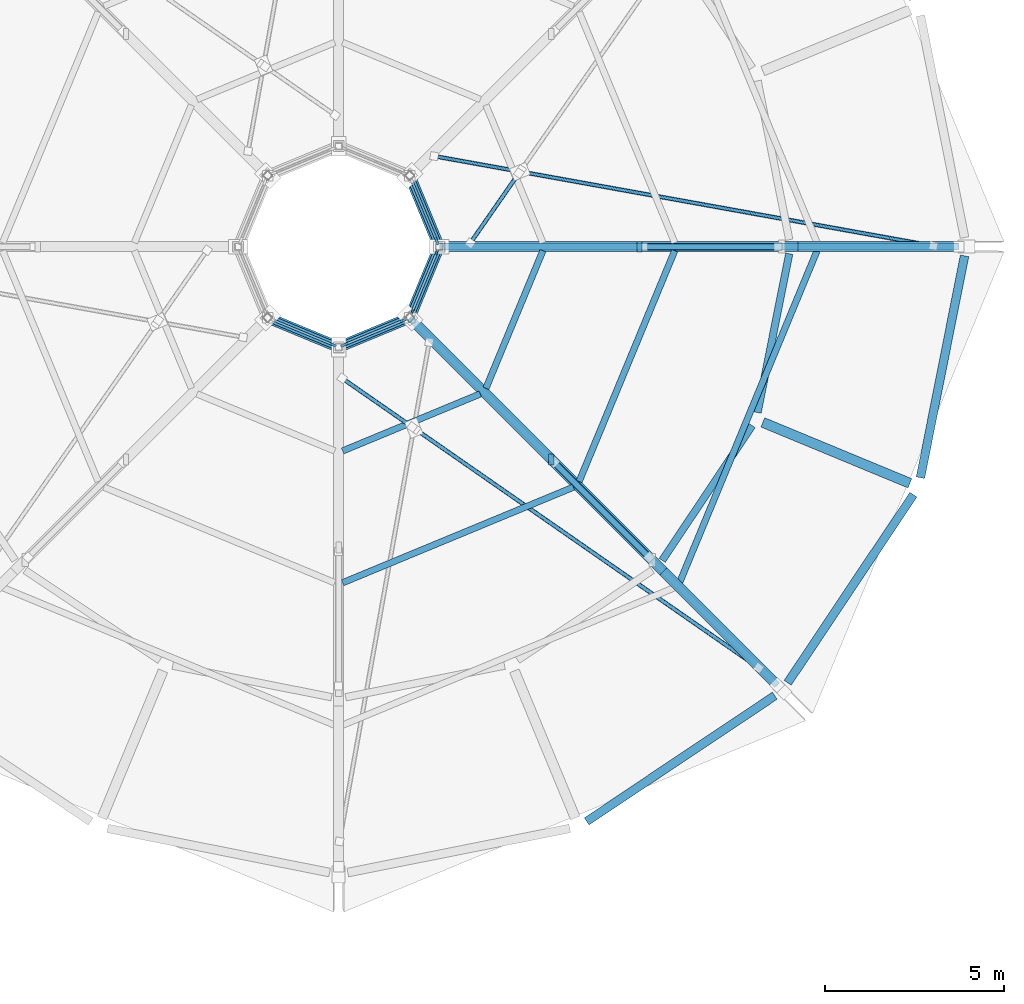
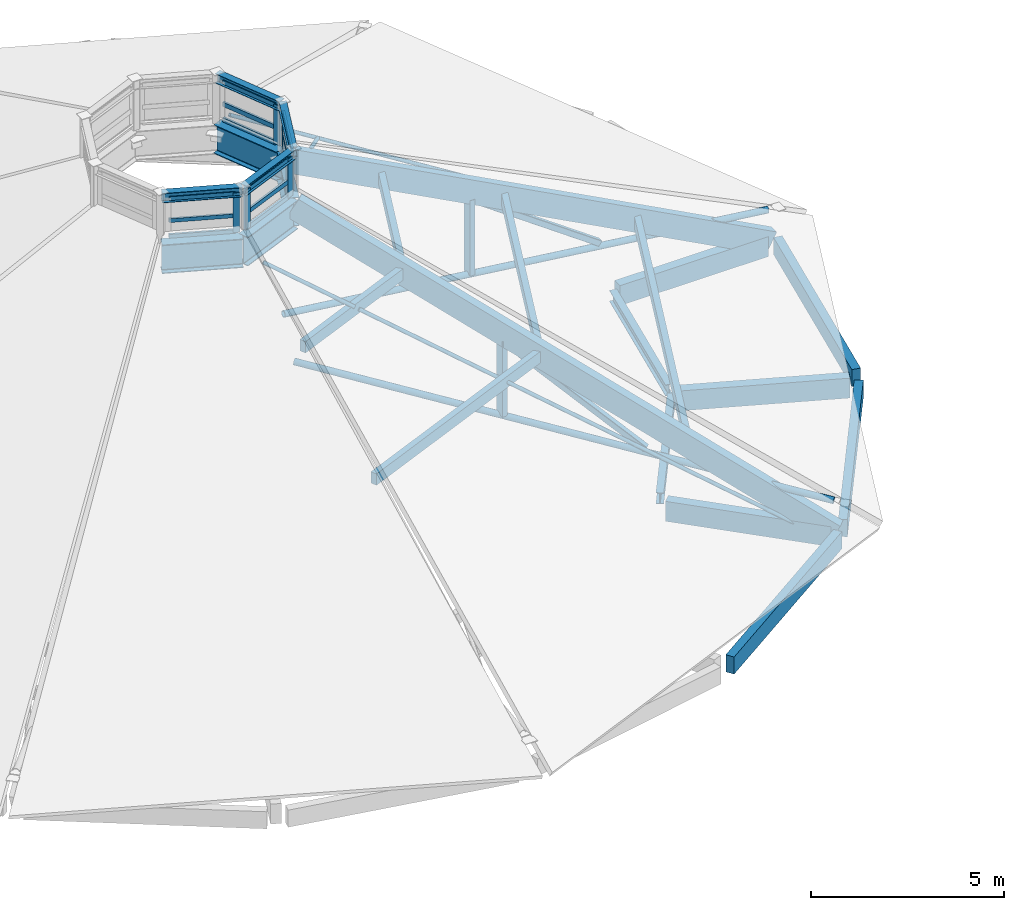
# One storey, part 36 of 66: 35 members, 16 beams, 4 elements without a shape of their own.
"""IFC4 building model written with IfcOpenShell, lengths in metres."""

from ifc_helpers import new_model, si_unit, direction, frame, origin, origin_2d, place, context, subcontext, project, spatial, rectangle, hollow_rectangle, hollow_circle, i_section, extrude, material, layer, layer_set, material_profile, profile_set, type_object, element, aggregate, save


model = new_model("IFC4")

# Units and contexts
model_context = context("Model", 3, precision=1e-05, world=origin(), true_north=direction((0.0, 1.0)))
body_context = subcontext(model_context, "Body", "Model", "MODEL_VIEW")
ifc_project = project(units=[si_unit("LENGTHUNIT", "METRE"), si_unit("AREAUNIT", "SQUARE_METRE"), si_unit("VOLUMEUNIT", "CUBIC_METRE"), si_unit("PLANEANGLEUNIT", "RADIAN"), si_unit("MASSUNIT", "GRAM", prefix="KILO")], contexts=[model_context])

# Site, building, storey
site_placement = place(None, origin())
site = spatial("IfcSite", under=ifc_project, at=site_placement, CompositionType="ELEMENT")
building_placement = place(site_placement, origin())
building = spatial("IfcBuilding", under=site, at=building_placement, Name="Caldaven Crescent School", CompositionType="ELEMENT")
storey_placement = place(building_placement, frame((0.0, 0.0, 8.159912109375)))
storey = spatial("IfcBuildingStorey", under=building, at=storey_placement, Name="L02", CompositionType="ELEMENT", Elevation=8.159912109375)

# Beams
ifc_material_1 = material(Name="Glulam MLE24h (GL28h)", Category="wood")
ifc_material_profile_1 = material_profile(ifc_material_1, rectangle(XDim=0.280029296875, YDim=0.6298828125, at=origin_2d()), Name="MLE 280x630")
ifc_profile_set_1 = profile_set([ifc_material_profile_1], Name="Glulam MLE24h (GL28h)")
beam_type_1 = type_object("IfcBeamType", Name="BM-GL63", PredefinedType="BEAM", material=ifc_profile_set_1)
beam_1_placement = place(storey_placement, frame((165.300048828125, 98.5, -0.534912109375), z_axis=(1.0, 0.0, 0.0), x_axis=(0.0, 1.0, 0.0)))
element("IfcBeam", 1, at=beam_1_placement, inside=storey, type_object=beam_type_1, Name="BM-V1-L02-0143", PredefinedType="BEAM", context=body_context, shape_type="SweptSolid", body=[
    extrude(rectangle(XDim=0.280029296875, YDim=0.6298828125, at=origin_2d()), origin(), (0.0, 0.0, 1.0), 4.43994140625),
])
beam_2_placement = place(storey_placement, frame((161.551025390625, 89.448974609375, -0.534912109375), z_axis=(0.707106781187, -0.707106781187, 0.0), x_axis=(0.707106781187, 0.707106781187, 0.0)))
element("IfcBeam", 2, at=beam_2_placement, inside=storey, type_object=beam_type_1, Name="BM-V1-L02-0185", PredefinedType="BEAM", context=body_context, shape_type="SweptSolid", body=[
    extrude(rectangle(XDim=0.280029296875, YDim=0.6298828125, at=origin_2d()), origin(), (0.0, 0.0, 1.0), 4.439697265625),
])
beam_3_placement = place(storey_placement, frame((164.32568359375, 93.6015625, -0.534912109375), z_axis=(0.923891512961, -0.382654507719, 0.0), x_axis=(0.382654507719, 0.923891512961, 0.0)))
element("IfcBeam", 3, at=beam_3_placement, inside=storey, type_object=beam_type_1, Name="BM-V1-L02-0188", PredefinedType="BEAM", context=body_context, shape_type="SweptSolid", body=[
    extrude(rectangle(XDim=0.280029296875, YDim=0.6298828125, at=origin_2d()), origin(), (0.0, 0.0, 1.0), 4.43994140625),
])
ifc_material_2 = material(Name="Steel ASTM A572 Grade 50", Category="steel")
ifc_material_profile_2 = material_profile(ifc_material_2, i_section(OverallWidth=0.202880859375, OverallDepth=0.302978515625, WebThickness=0.007568359375, FlangeThickness=0.01318359375, FilletRadius=0.012939453125, at=origin_2d()), Name="W310x60")
ifc_profile_set_2 = profile_set([ifc_material_profile_2], Name="Steel ASTM A572 Grade 50")
beam_type_2 = type_object("IfcBeamType", Name="BM-W31", PredefinedType="BEAM", material=ifc_profile_set_2)
for number, where, z_axis, x_axis, name in (
    (4, (155.292236328125, 98.5185546875, 8.898681640625), (-0.382652561407, 0.923892319077, 0.0), (-0.923892319077, -0.382652561407, 0.0), "LRNG-V1-L02-0192"),
    (5, (150.53857421875, 96.512451171875, 8.898681640625), (0.923892319077, -0.382652561407, 0.0), (0.382652561407, 0.923892319077, 0.0), "LRNG-V1-L02-0202"),
    (6, (152.5185546875, 95.707763671875, 8.898681640625), (0.923892319077, 0.382652561407, 0.0), (-0.382652561407, 0.923892319077, 0.0), "LRNG-V1-L02-0204"),
    (7, (154.487548828125, 96.53857421875, 8.898681640625), (0.382652561407, 0.923892319077, 0.0), (-0.923892319077, 0.382652561407, 0.0), "LRNG-V1-L02-0206"),
):
    element("IfcBeam", number, at=place(storey_placement, frame(where, z_axis=z_axis, x_axis=x_axis)), inside=storey, type_object=beam_type_2, Name=name, PredefinedType="BEAM", context=body_context, shape_type="SweptSolid", body=[
        extrude(i_section(OverallWidth=0.202880859375, OverallDepth=0.302978515625, WebThickness=0.007568359375, FlangeThickness=0.01318359375, FilletRadius=0.012939453125, at=origin_2d()), origin(), (0.0, 0.0, 1.0), 2.10302734375),
    ])
ifc_material_profile_3 = material_profile(ifc_material_2, i_section(OverallWidth=0.205078125, OverallDepth=0.35400390625, WebThickness=0.009521484375, FlangeThickness=0.016845703125, FilletRadius=0.014892578125, at=origin_2d()), Name="W360x79")
ifc_profile_set_3 = profile_set([ifc_material_profile_3], Name="Steel ASTM A572 Grade 50")
beam_type_3 = type_object("IfcBeamType", Name="BM-W36", PredefinedType="BEAM", material=ifc_profile_set_3)
beam_4_placement = place(storey_placement, frame((161.520751953125, 89.7568359375, -0.39697265625), z_axis=(0.55556067933, 0.831475995794, 0.0), x_axis=(-0.831475995794, 0.55556067933, 0.0)))
element("IfcBeam", 8, at=beam_4_placement, inside=storey, type_object=beam_type_3, Name="BM-V1-L02-0186", PredefinedType="BEAM", context=body_context, shape_type="SweptSolid", body=[
    extrude(i_section(OverallWidth=0.205078125, OverallDepth=0.35400390625, WebThickness=0.009521484375, FlangeThickness=0.016845703125, FilletRadius=0.014892578125, at=origin_2d()), origin(), (0.0, 0.0, 1.0), 4.51611328125),
])
beam_5_placement = place(storey_placement, frame((164.179931640625, 93.874267578125, -0.39697265625), z_axis=(0.195086890453, 0.980785962977, 0.0), x_axis=(-0.980785962977, 0.195086890453, 0.0)))
element("IfcBeam", 9, at=beam_5_placement, inside=storey, type_object=beam_type_3, Name="BM-V1-L02-0189", PredefinedType="BEAM", context=body_context, shape_type="SweptSolid", body=[
    extrude(i_section(OverallWidth=0.205078125, OverallDepth=0.35400390625, WebThickness=0.009521484375, FlangeThickness=0.016845703125, FilletRadius=0.014892578125, at=origin_2d()), origin(), (0.0, 0.0, 1.0), 4.516357421875),
])
ifc_material_profile_4 = material_profile(ifc_material_2, i_section(OverallWidth=0.303955078125, OverallDepth=0.910888671875, WebThickness=0.015869140625, FlangeThickness=0.02392578125, FilletRadius=0.02197265625, at=origin_2d()), Name="W920x223")
ifc_profile_set_4 = profile_set([ifc_material_profile_4], Name="Steel ASTM A572 Grade 50")
beam_type_4 = type_object("IfcBeamType", Name="BM-W92", PredefinedType="BEAM", material=ifc_profile_set_4)
for number, where, z_axis, x_axis, name in (
    (10, (155.296142578125, 98.50927734375, 7.004638671875), (-0.382703871955, 0.923871065891, 0.0), (-0.923871065891, -0.382703871955, 0.0), "RING-V1-L02-0191"),
    (11, (150.529296875, 96.516357421875, 7.004638671875), (0.923871065891, -0.382703871955, 0.0), (0.382703871955, 0.923871065891, 0.0), "RING-V1-L02-0201"),
    (12, (152.50927734375, 95.703857421875, 7.004638671875), (0.923871065891, 0.382703871955, 0.0), (-0.382703871955, 0.923871065891, 0.0), "RING-V1-L02-0203"),
    (13, (154.483642578125, 96.529296875, 7.004638671875), (0.382703871955, 0.923871065891, 0.0), (-0.923871065891, 0.382703871955, 0.0), "RING-V1-L02-0205"),
):
    element("IfcBeam", number, at=place(storey_placement, frame(where, z_axis=z_axis, x_axis=x_axis)), inside=storey, type_object=beam_type_4, Name=name, PredefinedType="BEAM", context=body_context, shape_type="SweptSolid", body=[
        extrude(i_section(OverallWidth=0.303955078125, OverallDepth=0.910888671875, WebThickness=0.015869140625, FlangeThickness=0.02392578125, FilletRadius=0.02197265625, at=origin_2d()), origin(), (0.0, 0.0, 1.0), 2.123046875),
    ])

# Members
ifc_material_profile_5 = material_profile(ifc_material_2, hollow_circle(Radius=0.05712890625, WallThickness=0.008056640625, at=origin_2d()), Name="CHS 114.3x8.0")
ifc_profile_set_5 = profile_set([ifc_material_profile_5], Name="Steel ASTM A572 Grade 50")
member_type_1 = type_object("IfcMemberType", Name="BR-CH11", PredefinedType="BRACE", material=ifc_profile_set_5)
member_1_placement = place(storey_placement, frame((169.07861328125, 98.521728515625, -0.49365234375), z_axis=(-0.866661130006, 0.155865769195, 0.47392441141), x_axis=(-0.177006439522, -0.984209693291, 0.0)))
element("IfcMember", 14, at=member_1_placement, inside=storey, type_object=member_type_1, Name="RBR-V1-00-X1", PredefinedType="BRACE", context=body_context, shape_type="SweptSolid", body=[
    extrude(hollow_circle(Radius=0.05712890625, WallThickness=0.008056640625, at=origin_2d()), origin(), (0.0, 0.0, 1.0), 16.052001953125),
])
member_2_placement = place(storey_placement, frame((157.52294921875, 100.547119140625, 5.83837890625), z_axis=(-0.50259347178, -0.723045120954, 0.473925685303), x_axis=(0.821115135053, -0.570762590739, 0.0)))
element("IfcMember", 15, at=member_2_placement, inside=storey, type_object=member_type_1, Name="RBR-V1-00-X2B", PredefinedType="BRACE", context=body_context, shape_type="SweptSolid", body=[
    extrude(hollow_circle(Radius=0.05712890625, WallThickness=0.008056640625, at=origin_2d()), origin(), (0.0, 0.0, 1.0), 2.691162109375),
])
member_3_placement = place(storey_placement, frame((164.20751953125, 86.76171875, -0.49365234375), z_axis=(-0.723041750878, 0.502608493528, 0.473914896075), x_axis=(-0.570775886066, -0.821105893223, 0.0)))
element("IfcMember", 16, at=member_3_placement, inside=storey, type_object=member_type_1, Name="RBR-V1-06-X2A", PredefinedType="BRACE", context=body_context, shape_type="SweptSolid", body=[
    extrude(hollow_circle(Radius=0.05712890625, WallThickness=0.008056640625, at=origin_2d()), origin(), (0.0, 0.0, 1.0), 13.230712890625),
])
member_4_placement = place(storey_placement, frame((154.547119140625, 93.47705078125, 5.83837890625), z_axis=(-0.723045120954, 0.50259347178, 0.473925685303), x_axis=(-0.570762590739, -0.821115135053, 0.0)))
element("IfcMember", 17, at=member_4_placement, inside=storey, type_object=member_type_1, Name="RBR-V1-06-X2B", PredefinedType="BRACE", context=body_context, shape_type="SweptSolid", body=[
    extrude(hollow_circle(Radius=0.05712890625, WallThickness=0.008056640625, at=origin_2d()), origin(), (0.0, 0.0, 1.0), 2.691162109375),
])
ifc_material_profile_6 = material_profile(ifc_material_2, hollow_circle(Radius=0.096923828125, WallThickness=0.012451171875, at=origin_2d()), Name="CHS 193.7x12.5")
ifc_profile_set_6 = profile_set([ifc_material_profile_6], Name="Steel ASTM A572 Grade 50")
member_type_2 = type_object("IfcMemberType", Name="BR-CH19", PredefinedType="BRACE", material=ifc_profile_set_6)
for number, where, z_axis, x_axis, name in (
    (18, (169.78173828125, 98.5, 0.52685546875), (-0.992587172523, 0.0, 0.121534789019), (0.0, -1.0, 0.0), "TT-V1-00"),
    (19, (164.719970703125, 86.280029296875, 0.52685546875), (-0.70186507673, 0.70186507673, 0.121535295839), (-0.707106781187, -0.707106781187, 0.0), "TT-V1-07"),
):
    element("IfcMember", number, at=place(storey_placement, frame(where, z_axis=z_axis, x_axis=x_axis)), inside=storey, type_object=member_type_2, Name=name, PredefinedType="BRACE", context=body_context, shape_type="SweptSolid", body=[
        extrude(hollow_circle(Radius=0.096923828125, WallThickness=0.012451171875, at=origin_2d()), origin(), (0.0, 0.0, 1.0), 14.56982421875),
    ])
ifc_material_profile_7 = material_profile(ifc_material_1, rectangle(XDim=0.280029296875, YDim=0.68994140625, at=origin_2d()), Name="MLE 280x690")
ifc_profile_set_7 = profile_set([ifc_material_profile_7], Name="Glulam MLE24h (GL28h)")
member_type_3 = type_object("IfcMemberType", Name="CH-GL69", PredefinedType="CHORD", material=ifc_profile_set_7)
for number, where, z_axis, x_axis, name in (
    (20, (169.8232421875, 98.5, -0.466064453125), (-0.883351030719, 0.0, 0.468712018757), (0.0, -1.0, 0.0), "TC-V1-00"),
    (21, (164.74951171875, 86.25048828125, -0.466064453125), (-0.624624322492, 0.624624322492, 0.468709837215), (-0.707106781187, -0.707106781187, 0.0), "TC-V1-07"),
):
    element("IfcMember", number, at=place(storey_placement, frame(where, z_axis=z_axis, x_axis=x_axis)), inside=storey, type_object=member_type_3, Name=name, PredefinedType="CHORD", context=body_context, shape_type="SweptSolid", body=[
        extrude(rectangle(XDim=0.280029296875, YDim=0.68994140625, at=origin_2d()), origin(), (0.0, 0.0, 1.0), 16.421142578125),
    ])

# Curtain wall, members
ifc_material_3 = material(Name="Anodised aluminium AA 6063-T6 and low-E double glazing", Category="aluminium")
ifc_layer_1 = layer(ifc_material_3, 0.18994140625)
ifc_layer_set_1 = layer_set([ifc_layer_1], Name="Anodised aluminium AA 6063-T6 and low-E double glazing")
curtain_wall_type_1 = type_object("IfcCurtainWallType", Name="CW-SYS2", PredefinedType="NOTDEFINED", material=ifc_layer_set_1)
curtain_wall_1_placement = place(storey_placement, origin())
curtain_wall_1 = element("IfcCurtainWall", 22, at=curtain_wall_1_placement, inside=storey, type_object=curtain_wall_type_1, Name="CW-L02-040", PredefinedType="NOTDEFINED")
ifc_material_4 = material(Name="Anodised aluminium AA 6063-T6", Category="aluminium")
ifc_material_profile_8 = material_profile(ifc_material_4, rectangle(XDim=0.06005859375, YDim=0.14990234375, at=origin_2d()), Name="CWM 60x150")
ifc_profile_set_8 = profile_set([ifc_material_profile_8], Name="Anodised aluminium AA 6063-T6")
member_type_4 = type_object("IfcMemberType", Name="CWM-T1", PredefinedType="MULLION", material=ifc_profile_set_8)
member_5_placement = place(storey_placement, frame((154.544921875, 96.67724609375, 7.60009765625), z_axis=(0.0, 0.0, 1.0), x_axis=(-0.923880038792, 0.382682210093, 0.0)))
member_5 = element("IfcMember", 23, at=member_5_placement, type_object=member_type_4, Name="CW2 mullion 1", PredefinedType="MULLION", context=body_context, shape_type="SweptSolid", body=[
    extrude(rectangle(XDim=0.06005859375, YDim=0.14990234375, at=origin_2d()), origin(), (0.0, 0.0, 1.0), 1.25),
])
member_6_placement = place(storey_placement, frame((155.23486328125, 98.343017578125, 7.60009765625), z_axis=(0.0, 0.0, 1.0), x_axis=(-0.923880038792, 0.382682210093, 0.0)))
member_6 = element("IfcMember", 24, at=member_6_placement, type_object=member_type_4, Name="CW2 mullion 2", PredefinedType="MULLION", context=body_context, shape_type="SweptSolid", body=[
    extrude(rectangle(XDim=0.06005859375, YDim=0.14990234375, at=origin_2d()), origin(), (0.0, 0.0, 1.0), 1.25),
])

# Curtain wall, member
ifc_layer_2 = layer(ifc_material_3, 0.22998046875)
ifc_layer_set_2 = layer_set([ifc_layer_2], Name="Anodised aluminium AA 6063-T6 and low-E double glazing")
curtain_wall_type_2 = type_object("IfcCurtainWallType", Name="CW-SYS4", PredefinedType="NOTDEFINED", material=ifc_layer_set_2)
curtain_wall_2_placement = place(storey_placement, origin())
curtain_wall_2 = element("IfcCurtainWall", 25, at=curtain_wall_2_placement, inside=storey, type_object=curtain_wall_type_2, Name="CW-L02-038", PredefinedType="NOTDEFINED")
ifc_material_profile_9 = material_profile(ifc_material_4, rectangle(XDim=0.06494140625, YDim=0.179931640625, at=origin_2d()), Name="CWM 65x180")
ifc_profile_set_9 = profile_set([ifc_material_profile_9], Name="Anodised aluminium AA 6063-T6")
member_type_5 = type_object("IfcMemberType", Name="CWM-T2", PredefinedType="MULLION", material=ifc_profile_set_9)
member_7_placement = place(storey_placement, frame((152.340576171875, 95.76611328125, 7.60009765625), z_axis=(0.0, 0.0, 1.0), x_axis=(0.382682210093, 0.923880038792, 0.0)))
member_7 = element("IfcMember", 26, at=member_7_placement, type_object=member_type_5, Name="CW4 mullion 2", PredefinedType="MULLION", context=body_context, shape_type="SweptSolid", body=[
    extrude(rectangle(XDim=0.06494140625, YDim=0.179931640625, at=origin_2d()), origin(), (0.0, 0.0, 1.0), 1.25),
])

ifc_layer_3 = layer(ifc_material_3, 0.2099609375)
ifc_layer_set_3 = layer_set([ifc_layer_3], Name="Anodised aluminium AA 6063-T6 and low-E double glazing")
curtain_wall_type_3 = type_object("IfcCurtainWallType", Name="CW-SYS3", PredefinedType="NOTDEFINED", material=ifc_layer_set_3)
curtain_wall_3_placement = place(storey_placement, origin())
curtain_wall_3 = element("IfcCurtainWall", 27, at=curtain_wall_3_placement, inside=storey, type_object=curtain_wall_type_3, Name="CW-L02-033", PredefinedType="NOTDEFINED")
ifc_material_profile_10 = material_profile(ifc_material_4, rectangle(XDim=0.070068359375, YDim=0.2099609375, at=origin_2d()), Name="CWM 70x210")
ifc_profile_set_10 = profile_set([ifc_material_profile_10], Name="Anodised aluminium AA 6063-T6")
member_type_6 = type_object("IfcMemberType", Name="CWM-T3", PredefinedType="MULLION", material=ifc_profile_set_10)
member_8_placement = place(storey_placement, frame((155.23291015625, 98.66162109375, 7.60009765625), z_axis=(0.0, 0.0, 1.0), x_axis=(-0.923880038792, -0.382682210093, 0.0)))
member_8 = element("IfcMember", 28, at=member_8_placement, type_object=member_type_6, Name="CW3 mullion 1", PredefinedType="MULLION", context=body_context, shape_type="SweptSolid", body=[
    extrude(rectangle(XDim=0.070068359375, YDim=0.2099609375, at=origin_2d()), origin(), (0.0, 0.0, 1.0), 1.25),
])

# Curtain wall, members
ifc_layer_4 = layer(ifc_material_3, 0.169921875)
ifc_layer_set_4 = layer_set([ifc_layer_4], Name="Anodised aluminium AA 6063-T6 and low-E double glazing")
curtain_wall_type_4 = type_object("IfcCurtainWallType", Name="CW-SYS1", PredefinedType="NOTDEFINED", material=ifc_layer_set_4)
curtain_wall_4_placement = place(storey_placement, origin())
curtain_wall_4 = element("IfcCurtainWall", 29, at=curtain_wall_4_placement, inside=storey, type_object=curtain_wall_type_4, Name="CW-L02-039", PredefinedType="NOTDEFINED")
member_9_placement = place(storey_placement, frame((152.66162109375, 95.76708984375, 7.60009765625), z_axis=(0.0, 0.0, 1.0), x_axis=(-0.382682210093, 0.923880038792, 0.0)))
member_9 = element("IfcMember", 30, at=member_9_placement, type_object=member_type_6, Name="CW1 mullion 1", PredefinedType="MULLION", context=body_context, shape_type="SweptSolid", body=[
    extrude(rectangle(XDim=0.070068359375, YDim=0.2099609375, at=origin_2d()), origin(), (0.0, 0.0, 1.0), 1.25),
])
member_10_placement = place(storey_placement, frame((154.318115234375, 96.453125, 7.60009765625), z_axis=(0.0, 0.0, 1.0), x_axis=(-0.382682210093, 0.923880038792, 0.0)))
member_10 = element("IfcMember", 31, at=member_10_placement, type_object=member_type_6, Name="CW1 mullion 2", PredefinedType="MULLION", context=body_context, shape_type="SweptSolid", body=[
    extrude(rectangle(XDim=0.070068359375, YDim=0.2099609375, at=origin_2d()), origin(), (0.0, 0.0, 1.0), 1.25),
])

# Member
ifc_material_profile_11 = material_profile(ifc_material_4, rectangle(XDim=0.06005859375, YDim=0.1201171875, at=origin_2d()), Name="CWT 60x120")
ifc_profile_set_11 = profile_set([ifc_material_profile_11], Name="Anodised aluminium AA 6063-T6")
member_type_7 = type_object("IfcMemberType", Name="CWT-T1", PredefinedType="USERDEFINED", material=ifc_profile_set_11)
member_11_placement = place(storey_placement, frame((150.70947265625, 96.441650390625, 7.630126953125), z_axis=(0.923900079523, -0.382633823724, 0.0), x_axis=(0.382633823724, 0.923900079523, 0.0)))
member_11 = element("IfcMember", 32, at=member_11_placement, type_object=member_type_7, Name="CW4 transom 1.1", ObjectType="TRANSOM", PredefinedType="USERDEFINED", context=body_context, shape_type="SweptSolid", body=[
    extrude(rectangle(XDim=0.06005859375, YDim=0.1201171875, at=origin_2d()), origin(), (0.0, 0.0, 1.0), 1.73291015625),
])

member_12_placement = place(storey_placement, frame((150.70947265625, 96.441650390625, 8.125), z_axis=(0.923900079523, -0.382633823724, 0.0), x_axis=(0.382633823724, 0.923900079523, 0.0)))
member_12 = element("IfcMember", 33, at=member_12_placement, type_object=member_type_7, Name="CW4 transom 1.2", ObjectType="TRANSOM", PredefinedType="USERDEFINED", context=body_context, shape_type="SweptSolid", body=[
    extrude(rectangle(XDim=0.06005859375, YDim=0.1201171875, at=origin_2d()), origin(), (0.0, 0.0, 1.0), 1.73291015625),
])

member_13_placement = place(storey_placement, frame((150.70947265625, 96.441650390625, 8.820068359375), z_axis=(0.923900079523, -0.382633823724, 0.0), x_axis=(0.382633823724, 0.923900079523, 0.0)))
member_13 = element("IfcMember", 34, at=member_13_placement, type_object=member_type_7, Name="CW4 transom 1.3", ObjectType="TRANSOM", PredefinedType="USERDEFINED", context=body_context, shape_type="SweptSolid", body=[
    extrude(rectangle(XDim=0.06005859375, YDim=0.1201171875, at=origin_2d()), origin(), (0.0, 0.0, 1.0), 1.73291015625),
])

aggregate(curtain_wall_2, [member_7, member_11, member_12, member_13])

ifc_material_profile_12 = material_profile(ifc_material_4, rectangle(XDim=0.06494140625, YDim=0.139892578125, at=origin_2d()), Name="CWT 65x140")
ifc_profile_set_12 = profile_set([ifc_material_profile_12], Name="Anodised aluminium AA 6063-T6")
member_type_8 = type_object("IfcMemberType", Name="CWT-T2", PredefinedType="USERDEFINED", material=ifc_profile_set_12)
member_14_placement = place(storey_placement, frame((155.2197265625, 98.694091796875, 7.632568359375), z_axis=(-0.382723050626, 0.923863121095, 0.0), x_axis=(-0.923863121095, -0.382723050626, 0.0)))
member_14 = element("IfcMember", 35, at=member_14_placement, type_object=member_type_8, Name="CW3 transom 1.1", ObjectType="TRANSOM", PredefinedType="USERDEFINED", context=body_context, shape_type="SweptSolid", body=[
    extrude(rectangle(XDim=0.06494140625, YDim=0.139892578125, at=origin_2d()), origin(), (0.0, 0.0, 1.0), 1.722900390625),
])

member_15_placement = place(storey_placement, frame((155.2197265625, 98.694091796875, 8.125), z_axis=(-0.382723050626, 0.923863121095, 0.0), x_axis=(-0.923863121095, -0.382723050626, 0.0)))
member_15 = element("IfcMember", 36, at=member_15_placement, type_object=member_type_8, Name="CW3 transom 1.2", ObjectType="TRANSOM", PredefinedType="USERDEFINED", context=body_context, shape_type="SweptSolid", body=[
    extrude(rectangle(XDim=0.06494140625, YDim=0.139892578125, at=origin_2d()), origin(), (0.0, 0.0, 1.0), 1.722900390625),
])

member_16_placement = place(storey_placement, frame((155.2197265625, 98.694091796875, 8.817626953125), z_axis=(-0.382723050626, 0.923863121095, 0.0), x_axis=(-0.923863121095, -0.382723050626, 0.0)))
member_16 = element("IfcMember", 37, at=member_16_placement, type_object=member_type_8, Name="CW3 transom 1.3", ObjectType="TRANSOM", PredefinedType="USERDEFINED", context=body_context, shape_type="SweptSolid", body=[
    extrude(rectangle(XDim=0.06494140625, YDim=0.139892578125, at=origin_2d()), origin(), (0.0, 0.0, 1.0), 1.722900390625),
])

aggregate(curtain_wall_3, [member_8, member_14, member_15, member_16])

member_17_placement = place(storey_placement, frame((152.694091796875, 95.7802734375, 7.632568359375), z_axis=(0.923863121095, 0.382723050626, 0.0), x_axis=(-0.382723050626, 0.923863121095, 0.0)))
member_17 = element("IfcMember", 38, at=member_17_placement, type_object=member_type_8, Name="CW1 transom 1.1", ObjectType="TRANSOM", PredefinedType="USERDEFINED", context=body_context, shape_type="SweptSolid", body=[
    extrude(rectangle(XDim=0.06494140625, YDim=0.139892578125, at=origin_2d()), origin(), (0.0, 0.0, 1.0), 1.722900390625),
])

member_18_placement = place(storey_placement, frame((152.694091796875, 95.7802734375, 8.125), z_axis=(0.923863121095, 0.382723050626, 0.0), x_axis=(-0.382723050626, 0.923863121095, 0.0)))
member_18 = element("IfcMember", 39, at=member_18_placement, type_object=member_type_8, Name="CW1 transom 1.2", ObjectType="TRANSOM", PredefinedType="USERDEFINED", context=body_context, shape_type="SweptSolid", body=[
    extrude(rectangle(XDim=0.06494140625, YDim=0.139892578125, at=origin_2d()), origin(), (0.0, 0.0, 1.0), 1.722900390625),
])

member_19_placement = place(storey_placement, frame((152.694091796875, 95.7802734375, 8.817626953125), z_axis=(0.923863121095, 0.382723050626, 0.0), x_axis=(-0.382723050626, 0.923863121095, 0.0)))
member_19 = element("IfcMember", 40, at=member_19_placement, type_object=member_type_8, Name="CW1 transom 1.3", ObjectType="TRANSOM", PredefinedType="USERDEFINED", context=body_context, shape_type="SweptSolid", body=[
    extrude(rectangle(XDim=0.06494140625, YDim=0.139892578125, at=origin_2d()), origin(), (0.0, 0.0, 1.0), 1.722900390625),
])

aggregate(curtain_wall_4, [member_9, member_10, member_17, member_18, member_19])

member_20_placement = place(storey_placement, frame((154.556396484375, 96.704833984375, 7.632568359375), z_axis=(0.382665181283, 0.923887092146, 0.0), x_axis=(-0.923887092146, 0.382665181283, 0.0)))
member_20 = element("IfcMember", 41, at=member_20_placement, type_object=member_type_8, Name="CW2 transom 1.1", ObjectType="TRANSOM", PredefinedType="USERDEFINED", context=body_context, shape_type="SweptSolid", body=[
    extrude(rectangle(XDim=0.06494140625, YDim=0.139892578125, at=origin_2d()), origin(), (0.0, 0.0, 1.0), 1.742919921875),
])

member_21_placement = place(storey_placement, frame((154.556396484375, 96.704833984375, 8.125), z_axis=(0.382665181283, 0.923887092146, 0.0), x_axis=(-0.923887092146, 0.382665181283, 0.0)))
member_21 = element("IfcMember", 42, at=member_21_placement, type_object=member_type_8, Name="CW2 transom 1.2", ObjectType="TRANSOM", PredefinedType="USERDEFINED", context=body_context, shape_type="SweptSolid", body=[
    extrude(rectangle(XDim=0.06494140625, YDim=0.139892578125, at=origin_2d()), origin(), (0.0, 0.0, 1.0), 1.742919921875),
])

member_22_placement = place(storey_placement, frame((154.556396484375, 96.704833984375, 8.817626953125), z_axis=(0.382665181283, 0.923887092146, 0.0), x_axis=(-0.923887092146, 0.382665181283, 0.0)))
member_22 = element("IfcMember", 43, at=member_22_placement, type_object=member_type_8, Name="CW2 transom 1.3", ObjectType="TRANSOM", PredefinedType="USERDEFINED", context=body_context, shape_type="SweptSolid", body=[
    extrude(rectangle(XDim=0.06494140625, YDim=0.139892578125, at=origin_2d()), origin(), (0.0, 0.0, 1.0), 1.742919921875),
])

aggregate(curtain_wall_1, [member_5, member_6, member_20, member_21, member_22])

# Members
ifc_material_profile_13 = material_profile(ifc_material_1, rectangle(XDim=0.179931640625, YDim=0.360107421875, at=origin_2d()), Name="MLE 180x360")
ifc_profile_set_13 = profile_set([ifc_material_profile_13], Name="Glulam MLE24h (GL28h)")
member_type_9 = type_object("IfcMemberType", Name="PR-GL36", PredefinedType="PURLIN", material=ifc_profile_set_13)
member_23_placement = place(storey_placement, frame((152.61083984375, 89.130859375, 3.72998046875), z_axis=(0.92388056986, 0.382680927973, 0.0), x_axis=(-0.382680927973, 0.92388056986, 0.0)))
element("IfcMember", 44, at=member_23_placement, inside=storey, type_object=member_type_9, Name="PUR-V1-06-1", PredefinedType="PURLIN", context=body_context, shape_type="SweptSolid", body=[
    extrude(rectangle(XDim=0.179931640625, YDim=0.360107421875, at=origin_2d()), origin(), (0.0, 0.0, 1.0), 6.966064453125),
])
member_24_placement = place(storey_placement, frame((152.61083984375, 92.805908203125, 5.68017578125), z_axis=(0.923883575944, 0.382673670509, 0.0), x_axis=(-0.382673670509, 0.923883575944, 0.0)))
element("IfcMember", 45, at=member_24_placement, inside=storey, type_object=member_type_9, Name="PUR-V1-06-2", PredefinedType="PURLIN", context=body_context, shape_type="SweptSolid", body=[
    extrude(rectangle(XDim=0.179931640625, YDim=0.360107421875, at=origin_2d()), origin(), (0.0, 0.0, 1.0), 4.1533203125),
])
member_25_placement = place(storey_placement, frame((162.009765625, 89.14697265625, 1.6240234375), z_axis=(0.382694501548, 0.923874947428, 0.0), x_axis=(-0.923874947428, 0.382694501548, 0.0)))
element("IfcMember", 46, at=member_25_placement, inside=storey, type_object=member_type_9, Name="PUR-V1-07-0", PredefinedType="PURLIN", context=body_context, shape_type="SweptSolid", body=[
    extrude(rectangle(XDim=0.179931640625, YDim=0.360107421875, at=origin_2d()), origin(), (0.0, 0.0, 1.0), 10.003662109375),
])
member_26_placement = place(storey_placement, frame((159.203369140625, 91.953369140625, 3.72998046875), z_axis=(0.382680927973, 0.92388056986, 0.0), x_axis=(-0.92388056986, 0.382680927973, 0.0)))
element("IfcMember", 47, at=member_26_placement, inside=storey, type_object=member_type_9, Name="PUR-V1-07-1", PredefinedType="PURLIN", context=body_context, shape_type="SweptSolid", body=[
    extrude(rectangle(XDim=0.179931640625, YDim=0.360107421875, at=origin_2d()), origin(), (0.0, 0.0, 1.0), 6.966064453125),
])
member_27_placement = place(storey_placement, frame((156.604736328125, 94.552001953125, 5.68017578125), z_axis=(0.382673670509, 0.923883575944, 0.0), x_axis=(-0.923883575944, 0.382673670509, 0.0)))
element("IfcMember", 48, at=member_27_placement, inside=storey, type_object=member_type_9, Name="PUR-V1-07-2", PredefinedType="PURLIN", context=body_context, shape_type="SweptSolid", body=[
    extrude(rectangle(XDim=0.179931640625, YDim=0.360107421875, at=origin_2d()), origin(), (0.0, 0.0, 1.0), 4.1533203125),
])

# Beams
ifc_material_profile_14 = material_profile(ifc_material_1, rectangle(XDim=0.239990234375, YDim=0.5400390625, at=origin_2d()), Name="MLE 240x540")
ifc_profile_set_14 = profile_set([ifc_material_profile_14], Name="Glulam MLE24h (GL28h)")
beam_type_5 = type_object("IfcBeamType", Name="SP-GL54", PredefinedType="SPANDREL", material=ifc_profile_set_14)
for number, where, z_axis, x_axis, name in (
    (49, (159.4130859375, 82.4765625, -0.489990234375), (0.831472291432, 0.555566223399, 0.0), (-0.555566223399, 0.831472291432, 0.0), "BM-V1-L02-0184"),
    (50, (165.018798828125, 86.341796875, -0.489990234375), (0.555566223399, 0.831472291432, 0.0), (-0.831472291432, 0.555566223399, 0.0), "BM-V1-L02-0187"),
    (51, (168.718505859375, 92.05810546875, -0.489990234375), (0.195096382354, 0.980784074908, 0.0), (-0.980784074908, 0.195096382354, 0.0), "BM-V1-L02-0190"),
):
    element("IfcBeam", number, at=place(storey_placement, frame(where, z_axis=z_axis, x_axis=x_axis)), inside=storey, type_object=beam_type_5, Name=name, PredefinedType="SPANDREL", context=body_context, shape_type="SweptSolid", body=[
        extrude(rectangle(XDim=0.239990234375, YDim=0.5400390625, at=origin_2d()), origin(), (0.0, 0.0, 1.0), 6.308349609375),
    ])

# Members
ifc_material_profile_15 = material_profile(ifc_material_1, rectangle(XDim=0.14990234375, YDim=0.300048828125, at=origin_2d()), Name="MLE 150x300")
ifc_profile_set_15 = profile_set([ifc_material_profile_15], Name="Glulam MLE24h (GL28h)")
member_type_10 = type_object("IfcMemberType", Name="ST-GL30", PredefinedType="STRUT", material=ifc_profile_set_15)
for number, where, z_axis, x_axis, name in (
    (52, (160.885986328125, 98.5, 1.656005859375), (0.0, 0.0, 1.0), (1.0, 0.0, 0.0), "WS-V1-00-1"),
    (53, (158.4296875, 92.5703125, 1.656005859375), (0.0, 0.0, 1.0), (1.0, 0.0, 0.0), "WS-V1-07-1"),
):
    element("IfcMember", number, at=place(storey_placement, frame(where, z_axis=z_axis, x_axis=x_axis)), inside=storey, type_object=member_type_10, Name=name, PredefinedType="STRUT", context=body_context, shape_type="SweptSolid", body=[
        extrude(rectangle(XDim=0.14990234375, YDim=0.300048828125, at=origin_2d()), origin(), (0.0, 0.0, 1.0), 2.380126953125),
    ])
ifc_material_profile_16 = material_profile(ifc_material_2, hollow_rectangle(XDim=0.179931640625, YDim=0.179931640625, WallThickness=0.010009765625, InnerFilletRadius=0.010009765625, OuterFilletRadius=0.02001953125, at=origin_2d()), Name="HSS 180x180x10")
ifc_profile_set_16 = profile_set([ifc_material_profile_16], Name="Steel ASTM A572 Grade 50")
member_type_11 = type_object("IfcMemberType", Name="ST-HS18", PredefinedType="STRUT", material=ifc_profile_set_16)
for number, where, z_axis, x_axis, name in (
    (54, (164.740966796875, 98.5, 1.271240234375), (-0.81461259725, 0.0, 0.580005445148), (0.0, -1.0, 0.0), "WB-V1-00"),
    (55, (161.15576171875, 89.84423828125, 1.271240234375), (-0.576018141486, 0.576018141486, 0.580005345973), (-0.707106781187, -0.707106781187, 0.0), "WB-V1-07"),
):
    element("IfcMember", number, at=place(storey_placement, frame(where, z_axis=z_axis, x_axis=x_axis)), inside=storey, type_object=member_type_11, Name=name, PredefinedType="STRUT", context=body_context, shape_type="SweptSolid", body=[
        extrude(hollow_rectangle(XDim=0.179931640625, YDim=0.179931640625, WallThickness=0.010009765625, InnerFilletRadius=0.010009765625, OuterFilletRadius=0.02001953125, at=origin_2d()), origin(), (0.0, 0.0, 1.0), 4.59228515625),
    ])

save(model, "model.ifc")
